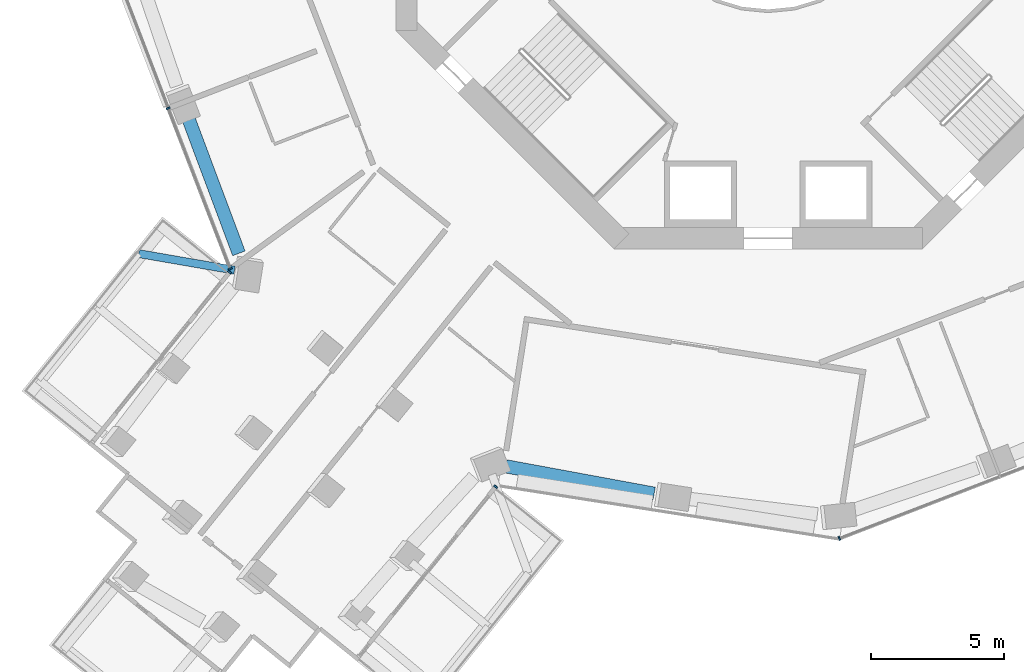
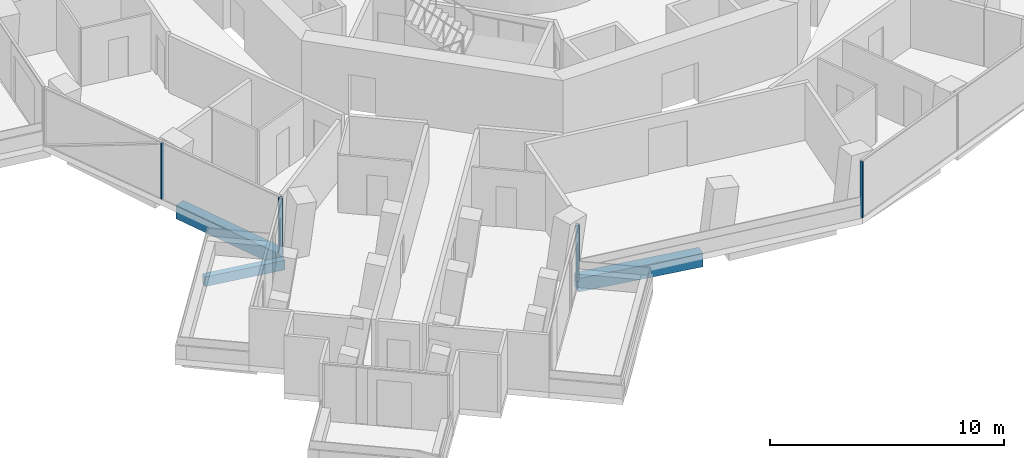
# One storey, part 3 of 23: 5 members, 3 beams, 4 elements without a shape of their own.
"""IFC4 building model written with IfcOpenShell, lengths in metres."""

import ifcopenshell
import ifcopenshell.guid

model = None  # the IFC model being written
_history = None  # IfcOwnerHistory: only IFC2X3 demands one
_inside = {}  # id of a spatial element -> (the spatial element, [elements in it])
_under = {}  # id of a project, library or spatial element -> (it, [spatial elements below it])
_declared = {}  # id of a project -> (the project, [libraries it declares])
_typed = {}  # id of a type object -> (the type object, [elements of that type])
_made_of = {}  # id of a material, layer set ... -> (it, [elements and type objects made of it])


def new_model(schema):
    """Start an empty IFC model of exactly this schema.

    Asked for "IFC4X3", IfcOpenShell would pick the latest addendum, in which some entities
    have other attributes; the version numbers below select the first issue.
    IFC2X3 requires an IfcOwnerHistory on every rooted entity: one is made here for all.
    """
    global model, _history
    if schema == "IFC4X3":
        model = ifcopenshell.file(schema_version=(4, 3, 0, 0))
    else:
        model = ifcopenshell.file(schema=schema)
    _inside.clear()
    _under.clear()
    _declared.clear()
    _typed.clear()
    _made_of.clear()
    _history = None
    if model.schema == "IFC2X3":
        org = make("IfcOrganization", Name="unknown")
        user = make(
            "IfcPersonAndOrganization",
            ThePerson=make("IfcPerson", FamilyName="unknown"),
            TheOrganization=org,
        )
        app = make(
            "IfcApplication",
            ApplicationDeveloper=org,
            Version="unknown",
            ApplicationFullName="unknown",
            ApplicationIdentifier="unknown",
        )
        _history = make(
            "IfcOwnerHistory",
            OwningUser=user,
            OwningApplication=app,
            ChangeAction="ADDED",
            CreationDate=0,
        )
    return model


def make(cls, **values):
    """One entity of the class cls with the attributes given. An attribute that is None is left unset."""
    return model.create_entity(
        cls, **{name: value for name, value in values.items() if value is not None}
    )


def rooted(cls, **values):
    """An entity with a GlobalId (a new one), such as an element, a storey or a relation."""
    return make(cls, GlobalId=ifcopenshell.guid.new(), OwnerHistory=_history, **values)


def si_unit(unit_type, name, prefix=None):
    """IfcSIUnit, for example si_unit("LENGTHUNIT", "METRE", prefix="MILLI")."""
    return make("IfcSIUnit", UnitType=unit_type, Prefix=prefix, Name=name)


def assignment(units):
    """IfcUnitAssignment: the units of a project."""
    return None if units is None else make("IfcUnitAssignment", Units=units)


def point(xyz):
    """IfcCartesianPoint."""
    return None if xyz is None else make("IfcCartesianPoint", Coordinates=xyz)


def direction(xyz):
    """IfcDirection."""
    return None if xyz is None else make("IfcDirection", DirectionRatios=xyz)


def frame(location, z_axis=None, x_axis=None):
    """IfcAxis2Placement3D, a coordinate frame: its origin and axes. An axis left out is left unset."""
    return make(
        "IfcAxis2Placement3D",
        Location=point(location),
        Axis=direction(z_axis),
        RefDirection=direction(x_axis),
    )


def frame_2d(location, x_axis=None):
    """IfcAxis2Placement2D, a coordinate frame in the plane: its origin and x axis."""
    return make(
        "IfcAxis2Placement2D", Location=point(location), RefDirection=direction(x_axis)
    )


def origin():
    """The frame at (0, 0, 0) with its axes left unset."""
    return frame((0.0, 0.0, 0.0))


def origin_2d():
    """The frame at (0, 0) in the plane with its x axis left unset."""
    return frame_2d((0.0, 0.0))


def place(relative_to, where):
    """IfcLocalPlacement: puts the frame where relative to a parent placement (None: the world)."""
    return make(
        "IfcLocalPlacement", PlacementRelTo=relative_to, RelativePlacement=where
    )


def context(
    kind, dimensions, precision=None, world=None, true_north=None, identifier=None
):
    """IfcGeometricRepresentationContext, for example the 3D "Model" context."""
    return make(
        "IfcGeometricRepresentationContext",
        ContextIdentifier=identifier,
        ContextType=kind,
        CoordinateSpaceDimension=dimensions,
        Precision=precision,
        WorldCoordinateSystem=world,
        TrueNorth=true_north,
    )


def subcontext(parent, identifier, kind, view, scale=None):
    """IfcGeometricRepresentationSubContext, for example "Body" below "Model"."""
    return make(
        "IfcGeometricRepresentationSubContext",
        ContextIdentifier=identifier,
        ContextType=kind,
        ParentContext=parent,
        TargetScale=scale,
        TargetView=view,
    )


def project(units=None, contexts=None):
    """IfcProject with its units and contexts."""
    return rooted(
        "IfcProject",
        Name="project",
        RepresentationContexts=contexts,
        UnitsInContext=assignment(units),
    )


def spatial(cls, under=None, at=None, **own):
    """A site, building, storey or space (cls), placed at a placement, below another one or the project."""
    s = rooted(cls, ObjectPlacement=at, **own)
    if under is not None:
        _under.setdefault(under.id(), (under, []))[1].append(s)
    return s


def profile(cls, at=None, kind="AREA", **sizes):
    """A parametric profile (cls). Its sizes go by their IFC names, for example OverallWidth=200.0."""
    return make(cls, ProfileType=kind, Position=at, **sizes)


def rectangle(**sizes):
    """IfcRectangleProfileDef."""
    return profile("IfcRectangleProfileDef", **sizes)


def extrude(swept, where, along, depth):
    """IfcExtrudedAreaSolid: the profile swept, set in the frame where, extruded along a direction by depth."""
    return make(
        "IfcExtrudedAreaSolid",
        SweptArea=swept,
        Position=where,
        ExtrudedDirection=direction(along),
        Depth=depth,
    )


def shape(context_of_items, identifier, shape_type, items):
    """IfcShapeRepresentation: the items that make up one representation, for example the "Body"."""
    return make(
        "IfcShapeRepresentation",
        ContextOfItems=context_of_items,
        RepresentationIdentifier=identifier,
        RepresentationType=shape_type,
        Items=items,
    )


def material(Name=None, Category=None):
    """IfcMaterial."""
    return make("IfcMaterial", Name=Name, Category=Category)


def layer(
    of_material, thickness, ventilated=None, Name=None, Category=None, Priority=None
):
    """IfcMaterialLayer: one layer of a wall or slab, of a material (None: an air gap)."""
    return make(
        "IfcMaterialLayer",
        Material=of_material,
        LayerThickness=thickness,
        IsVentilated=ventilated,
        Name=Name,
        Category=Category,
        Priority=Priority,
    )


def layer_set(layers, Name=None):
    """IfcMaterialLayerSet."""
    return make("IfcMaterialLayerSet", MaterialLayers=layers, LayerSetName=Name)


def material_profile(
    of_material, cross_section, Name=None, Category=None, Priority=None
):
    """IfcMaterialProfile: a cross section and its material."""
    return make(
        "IfcMaterialProfile",
        Name=Name,
        Material=of_material,
        Profile=cross_section,
        Priority=Priority,
        Category=Category,
    )


def profile_set(profiles, Name=None, composite=None):
    """IfcMaterialProfileSet."""
    return make(
        "IfcMaterialProfileSet",
        Name=Name,
        MaterialProfiles=profiles,
        CompositeProfile=composite,
    )


def made_of(thing, what):
    """Note that an element or type object is made of a material, layer set ...; save() writes the relation."""
    if what is not None:
        _made_of.setdefault(what.id(), (what, []))[1].append(thing)
    return thing


def type_object(cls, material=None, **own):
    """A type object (cls), such as IfcWallType, which elements share."""
    return made_of(rooted(cls, **own), material)


def element(
    cls,
    number,
    at=None,
    inside=None,
    cuts=None,
    type_object=None,
    material=None,
    context=None,
    identifier="Body",
    shape_type=None,
    held_by="IfcProductDefinitionShape",
    body=None,
    shapes=None,
    **own,
):
    """One element of the class cls, such as IfcWall. Its Tag is "e" and its number.

    at: its placement. inside: the storey or other place that contains it. cuts: it is an
    opening in that element (IfcRelVoidsElement). A single representation is given by context,
    identifier, shape_type and body (its items); several are given by shapes. held_by: the class
    of the entity that holds the representations. save() writes the other relations.
    """
    e = rooted(cls, Tag="e%d" % number, ObjectPlacement=at, **own)
    if body is not None:
        shapes = [shape(context, identifier, shape_type, body)]
    if shapes is not None:
        e.Representation = make(held_by, Representations=shapes)
    if inside is not None:
        _inside.setdefault(inside.id(), (inside, []))[1].append(e)
    if cuts is not None:
        rooted(
            "IfcRelVoidsElement", RelatingBuildingElement=cuts, RelatedOpeningElement=e
        )
    if type_object is not None:
        _typed.setdefault(type_object.id(), (type_object, []))[1].append(e)
    return made_of(e, material)


def aggregate(whole, parts):
    """IfcRelAggregates: a whole, such as a stair, and the parts it consists of."""
    return rooted("IfcRelAggregates", RelatingObject=whole, RelatedObjects=parts)


def save(model, path):
    """Write the relations noted so far, then the file.

    IfcRelAggregates (storeys below a building ...), IfcRelContainedInSpatialStructure (elements
    in a storey), IfcRelDefinesByType, IfcRelAssociatesMaterial and IfcRelDeclares: one each for
    every whole, place, type object, material and project.
    """
    for whole, parts in _under.values():
        aggregate(whole, parts)
    for where, things in _inside.values():
        rooted(
            "IfcRelContainedInSpatialStructure",
            RelatedElements=things,
            RelatingStructure=where,
        )
    for kind, things in _typed.values():
        rooted("IfcRelDefinesByType", RelatedObjects=things, RelatingType=kind)
    for what, things in _made_of.values():
        rooted("IfcRelAssociatesMaterial", RelatedObjects=things, RelatingMaterial=what)
    for by, libraries in _declared.values():
        rooted("IfcRelDeclares", RelatingContext=by, RelatedDefinitions=libraries)
    model.write(path)


model = new_model("IFC4")

# Units and contexts
model_context = context("Model", 3, precision=1e-05, world=origin(), true_north=direction((0.0, 1.0)))
body_context = subcontext(model_context, "Body", "Model", "MODEL_VIEW")
ifc_project = project(units=[si_unit("LENGTHUNIT", "METRE"), si_unit("AREAUNIT", "SQUARE_METRE"), si_unit("VOLUMEUNIT", "CUBIC_METRE"), si_unit("PLANEANGLEUNIT", "RADIAN"), si_unit("MASSUNIT", "GRAM", prefix="KILO")], contexts=[model_context])

# Site, building, storey
site_placement = place(None, origin())
site = spatial("IfcSite", under=ifc_project, at=site_placement, CompositionType="ELEMENT")
building_placement = place(site_placement, origin())
building = spatial("IfcBuilding", under=site, at=building_placement, Name="Verdalira Terraces Hotel", CompositionType="ELEMENT")
storey_placement = place(building_placement, frame((0.0, 0.0, 118.5)))
storey = spatial("IfcBuildingStorey", under=building, at=storey_placement, Name="L28", CompositionType="ELEMENT", Elevation=118.5)

# Beam
ifc_material_1 = material(Name="Concrete C40", Category="concrete")
ifc_material_profile_1 = material_profile(ifc_material_1, rectangle(XDim=0.300049, YDim=0.5, at=origin_2d()), Name="RC 300X500")
ifc_profile_set_1 = profile_set([ifc_material_profile_1], Name="Concrete C40")
beam_type_1 = type_object("IfcBeamType", Name="Balcony cantilever beam RC 300X500 C40", PredefinedType="BEAM", material=ifc_profile_set_1)
beam_1_placement = place(storey_placement, frame((-20.067383, -14.804932, -0.560059), z_axis=(-0.985291535, 0.170881805, 0.0), x_axis=(-0.170881805, -0.985291535, 0.0)))
element("IfcBeam", 1, at=beam_1_placement, inside=storey, type_object=beam_type_1, Name="Balcony cantilever beam R14-1", PredefinedType="BEAM", context=body_context, shape_type="SweptSolid", body=[
    extrude(rectangle(XDim=0.300049, YDim=0.5, at=origin_2d()), origin(), (0.0, 0.0, 1.0), 3.656006),
])

# Curtain wall, members
ifc_material_2 = material(Name="Clear glass", Category="glass")
ifc_layer_1 = layer(ifc_material_2, 0.14990234375)
ifc_layer_set_1 = layer_set([ifc_layer_1], Name="CW1 curtain wall")
curtain_wall_type_1 = type_object("IfcCurtainWallType", Name="CW1 curtain wall", PredefinedType="NOTDEFINED", material=ifc_layer_set_1)
curtain_wall_1_placement = place(storey_placement, origin())
curtain_wall_1 = element("IfcCurtainWall", 2, at=curtain_wall_1_placement, inside=storey, type_object=curtain_wall_type_1, Name="CW1 curtain wall L28 edge 13", PredefinedType="NOTDEFINED")
ifc_material_3 = material(Name="Terracotta frame", Category="masonry")
ifc_material_profile_2 = material_profile(ifc_material_3, rectangle(XDim=0.060059, YDim=0.149902, at=origin_2d()), Name="MU 60x150")
ifc_profile_set_2 = profile_set([ifc_material_profile_2], Name="Terracotta frame")
member_type_1 = type_object("IfcMemberType", Name="CW1 mullion 60x150", PredefinedType="MULLION", material=ifc_profile_set_2)
member_1_placement = place(storey_placement, frame((-22.558838, -8.713867, 0.0), z_axis=(0.0, 0.0, 1.0), x_axis=(0.360322448, -0.932827815, 0.0)))
member_1 = element("IfcMember", 3, at=member_1_placement, type_object=member_type_1, Name="CW1 mullion", PredefinedType="MULLION", context=body_context, shape_type="SweptSolid", body=[
    extrude(rectangle(XDim=0.060059, YDim=0.149902, at=origin_2d()), origin(), (0.0, 0.0, 1.0), 2.935059),
])
member_2_placement = place(storey_placement, frame((-20.227539, -14.749268, 0.0), z_axis=(0.0, 0.0, 1.0), x_axis=(0.360322448, -0.932827815, 0.0)))
member_2 = element("IfcMember", 4, at=member_2_placement, type_object=member_type_1, Name="CW1 mullion", PredefinedType="MULLION", context=body_context, shape_type="SweptSolid", body=[
    extrude(rectangle(XDim=0.060059, YDim=0.149902, at=origin_2d()), origin(), (0.0, 0.0, 1.0), 2.935059),
])
aggregate(curtain_wall_1, [member_1, member_2])

# Curtain wall, member
curtain_wall_2_placement = place(storey_placement, origin())
curtain_wall_2 = element("IfcCurtainWall", 5, at=curtain_wall_2_placement, inside=storey, type_object=curtain_wall_type_1, Name="CW1 curtain wall L28 edge 26", PredefinedType="NOTDEFINED")
member_3_placement = place(storey_placement, frame((2.678467, -24.890137, 0.0), z_axis=(0.0, 0.0, 1.0), x_axis=(0.932827815, 0.360322448, 0.0)))
member_3 = element("IfcMember", 6, at=member_3_placement, type_object=member_type_1, Name="CW1 mullion", PredefinedType="MULLION", context=body_context, shape_type="SweptSolid", body=[
    extrude(rectangle(XDim=0.060059, YDim=0.149902, at=origin_2d()), origin(), (0.0, 0.0, 1.0), 2.935059),
])
aggregate(curtain_wall_2, [member_3])

ifc_material_4 = material(Name="Clear glass", Category="glass")
ifc_layer_2 = layer(ifc_material_4, 0.14990234375)
ifc_layer_set_2 = layer_set([ifc_layer_2], Name="CW2 curtain wall")
curtain_wall_type_2 = type_object("IfcCurtainWallType", Name="CW2 curtain wall", PredefinedType="NOTDEFINED", material=ifc_layer_set_2)
curtain_wall_3_placement = place(storey_placement, origin())
curtain_wall_3 = element("IfcCurtainWall", 7, at=curtain_wall_3_placement, inside=storey, type_object=curtain_wall_type_2, Name="CW2 curtain wall L28 edge 14", PredefinedType="NOTDEFINED")
ifc_material_5 = material(Name="Terracotta frame", Category="masonry")
ifc_material_profile_3 = material_profile(ifc_material_5, rectangle(XDim=0.070068, YDim=0.149902, at=origin_2d()), Name="MU 70x150")
ifc_profile_set_3 = profile_set([ifc_material_profile_3], Name="Terracotta frame")
member_type_2 = type_object("IfcMemberType", Name="CW2 mullion 70x150", PredefinedType="MULLION", material=ifc_profile_set_3)
member_4_placement = place(storey_placement, frame((-20.250244, -14.878418, 0.0), z_axis=(0.0, 0.0, 1.0), x_axis=(-0.627691361, -0.778462302, 0.0)))
member_4 = element("IfcMember", 8, at=member_4_placement, type_object=member_type_2, Name="CW2 mullion", PredefinedType="MULLION", context=body_context, shape_type="SweptSolid", body=[
    extrude(rectangle(XDim=0.070068, YDim=0.149902, at=origin_2d()), origin(), (0.0, 0.0, 1.0), 2.935059),
])
aggregate(curtain_wall_3, [member_4])

curtain_wall_4_placement = place(storey_placement, origin())
curtain_wall_4 = element("IfcCurtainWall", 9, at=curtain_wall_4_placement, inside=storey, type_object=curtain_wall_type_2, Name="CW2 curtain wall L28 edge 24", PredefinedType="NOTDEFINED")
member_5_placement = place(storey_placement, frame((-10.24707, -22.944336, 0.0), z_axis=(0.0, 0.0, 1.0), x_axis=(0.627691361, 0.778462302, 0.0)))
member_5 = element("IfcMember", 10, at=member_5_placement, type_object=member_type_2, Name="CW2 mullion", PredefinedType="MULLION", context=body_context, shape_type="SweptSolid", body=[
    extrude(rectangle(XDim=0.070068, YDim=0.149902, at=origin_2d()), origin(), (0.0, 0.0, 1.0), 2.935059),
])
aggregate(curtain_wall_4, [member_5])

# Beams
ifc_material_6 = material(Name="Concrete C70", Category="concrete")
ifc_material_profile_4 = material_profile(ifc_material_6, rectangle(XDim=0.5, YDim=0.699951, at=origin_2d()), Name="RC 500X700")
ifc_profile_set_4 = profile_set([ifc_material_profile_4], Name="Concrete C70")
beam_type_2 = type_object("IfcBeamType", Name="Spandrel beam RC 500X700 C70", PredefinedType="SPANDREL", material=ifc_profile_set_4)
beam_2_placement = place(storey_placement, frame((-21.846191, -8.978027, -0.659912), z_axis=(0.350520223, -0.936555163, 0.0), x_axis=(0.936555163, 0.350520223, 0.0)))
element("IfcBeam", 11, at=beam_2_placement, inside=storey, type_object=beam_type_2, Name="Spandrel beam B07", PredefinedType="SPANDREL", context=body_context, shape_type="SweptSolid", body=[
    extrude(rectangle(XDim=0.5, YDim=0.699951, at=origin_2d()), origin(), (0.0, 0.0, 1.0), 5.544922),
])
beam_3_placement = place(storey_placement, frame((-9.865479, -22.178711, -0.659912), z_axis=(0.983394002, -0.181483437, 0.0), x_axis=(0.181483437, 0.983394002, 0.0)))
element("IfcBeam", 12, at=beam_3_placement, inside=storey, type_object=beam_type_2, Name="Spandrel beam B13", PredefinedType="SPANDREL", context=body_context, shape_type="SweptSolid", body=[
    extrude(rectangle(XDim=0.5, YDim=0.699951, at=origin_2d()), origin(), (0.0, 0.0, 1.0), 5.671631),
])

save(model, "model.ifc")
